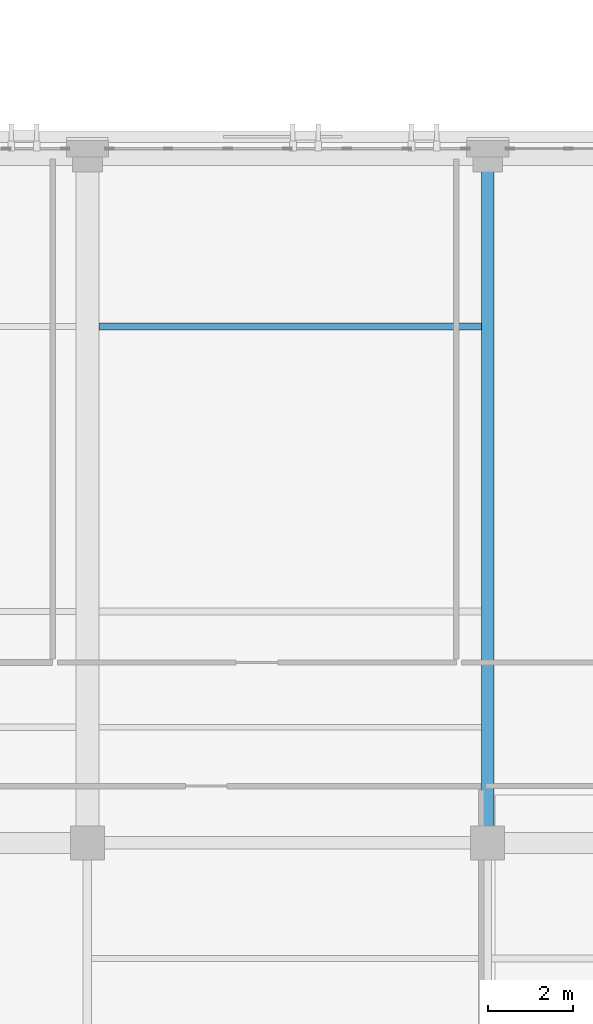
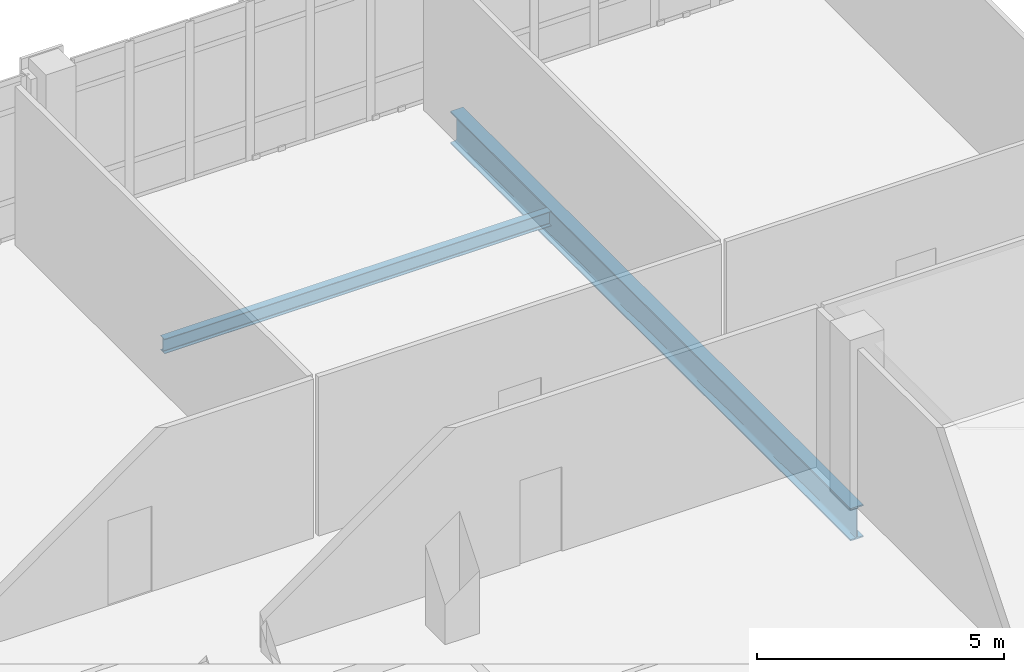
# One storey, part 26 of 158: 2 beams.
"""IFC4 building model written with IfcOpenShell, lengths in metres."""

from ifc_helpers import new_model, si_unit, direction, frame, origin, origin_2d, place, context, subcontext, project, spatial, i_section, extrude, material, material_profile, profile_set, type_object, element, save


model = new_model("IFC4")

# Units and contexts
model_context = context("Model", 3, precision=1e-05, world=origin(), true_north=direction((0.0, 1.0)))
body_context = subcontext(model_context, "Body", "Model", "MODEL_VIEW")
ifc_project = project(units=[si_unit("LENGTHUNIT", "METRE"), si_unit("AREAUNIT", "SQUARE_METRE"), si_unit("VOLUMEUNIT", "CUBIC_METRE"), si_unit("PLANEANGLEUNIT", "RADIAN"), si_unit("MASSUNIT", "GRAM", prefix="KILO")], contexts=[model_context])

# Site, building, storey
site_placement = place(None, origin())
site = spatial("IfcSite", under=ifc_project, at=site_placement, CompositionType="ELEMENT")
building_placement = place(site_placement, origin())
building = spatial("IfcBuilding", under=site, at=building_placement, Name="Qalavern Law Courts", CompositionType="ELEMENT")
storey_placement = place(building_placement, frame((0.0, 0.0, 18.60009765625)))
storey = spatial("IfcBuildingStorey", under=building, at=storey_placement, Name="L04", CompositionType="ELEMENT", Elevation=18.60009765625)

# Beams
ifc_material = material(Name="Steel S355", Category="steel")
ifc_material_profile_1 = material_profile(ifc_material, i_section(OverallWidth=0.300048828125, OverallDepth=0.800048828125, WebThickness=0.017578125, FlangeThickness=0.032958984375, FilletRadius=0.030029296875, at=origin_2d()), Name="HEB 800")
ifc_profile_set_1 = profile_set([ifc_material_profile_1], Name="Steel S355")
beam_type_1 = type_object("IfcBeamType", Name="STR-BM-HEB800", PredefinedType="BEAM", material=ifc_profile_set_1)
beam_1_placement = place(storey_placement, frame((62.98291015625, 13.800048828125, -0.68017578125), z_axis=(0.0, 1.0, 0.0), x_axis=(-1.0, 0.0, 0.0)))
element("IfcBeam", 1, at=beam_1_placement, inside=storey, type_object=beam_type_1, Name="V2 Y-beam 4-2 L04", PredefinedType="BEAM", context=body_context, shape_type="SweptSolid", body=[
    extrude(i_section(OverallWidth=0.300048828125, OverallDepth=0.800048828125, WebThickness=0.017578125, FlangeThickness=0.032958984375, FilletRadius=0.030029296875, at=origin_2d()), origin(), (0.0, 0.0, 1.0), 16.199951171875),
])
ifc_material_profile_2 = material_profile(ifc_material, i_section(OverallWidth=0.169921875, OverallDepth=0.360107421875, WebThickness=0.008056640625, FlangeThickness=0.0126953125, FilletRadius=0.01806640625, at=origin_2d()), Name="IPE 360")
ifc_profile_set_2 = profile_set([ifc_material_profile_2], Name="Steel S355")
beam_type_2 = type_object("IfcBeamType", Name="STR-JST-IPE360", PredefinedType="JOIST", material=ifc_profile_set_2)
beam_2_placement = place(storey_placement, frame((53.801513671875, 26.0, -0.460205078125), z_axis=(1.0, 0.0, 0.0), x_axis=(0.0, 1.0, 0.0)))
element("IfcBeam", 2, at=beam_2_placement, inside=storey, type_object=beam_type_2, Name="V2 secondary joist 3.3.1 L04", PredefinedType="JOIST", context=body_context, shape_type="SweptSolid", body=[
    extrude(i_section(OverallWidth=0.169921875, OverallDepth=0.360107421875, WebThickness=0.008056640625, FlangeThickness=0.0126953125, FilletRadius=0.01806640625, at=origin_2d()), origin(), (0.0, 0.0, 1.0), 9.033447265625),
])

save(model, "model.ifc")
